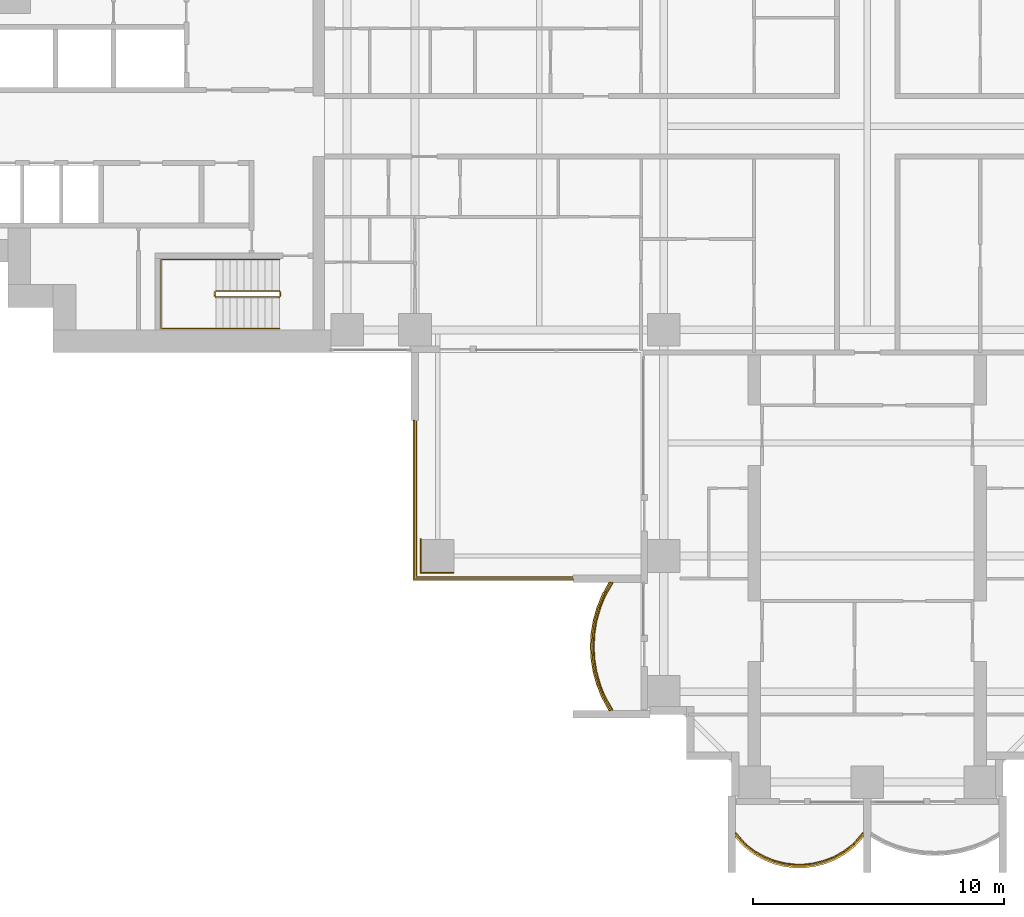
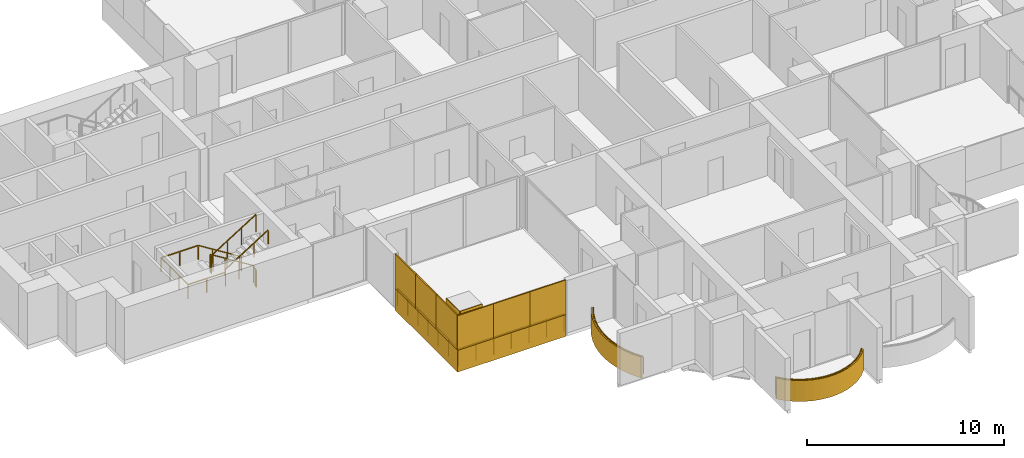
# One storey, part 18 of 21: 11 coverings, 5 railings.
"""IFC4 building model written with IfcOpenShell, lengths in metres."""

from ifc_helpers import new_model, si_unit, direction, frame, origin, origin_2d, place, context, subcontext, project, spatial, polyline, rectangle, outline, extrude, material, layer, layer_set, type_object, element, save


model = new_model("IFC4")

# Units and contexts
model_context = context("Model", 3, precision=1e-05, world=origin(), true_north=direction((0.0, 1.0)))
body_context = subcontext(model_context, "Body", "Model", "MODEL_VIEW")
ifc_project = project(units=[si_unit("LENGTHUNIT", "METRE"), si_unit("AREAUNIT", "SQUARE_METRE"), si_unit("VOLUMEUNIT", "CUBIC_METRE"), si_unit("PLANEANGLEUNIT", "RADIAN"), si_unit("MASSUNIT", "GRAM", prefix="KILO")], contexts=[model_context])

# Site, building, storey
site_placement = place(None, origin())
site = spatial("IfcSite", under=ifc_project, at=site_placement, CompositionType="ELEMENT")
building_placement = place(site_placement, origin())
building = spatial("IfcBuilding", under=site, at=building_placement, Name="Perihelion Cross Residences", CompositionType="ELEMENT")
storey_placement = place(building_placement, frame((0.0, 0.0, 64.5)))
storey = spatial("IfcBuildingStorey", under=building, at=storey_placement, Name="L13", CompositionType="ELEMENT", Elevation=64.5)

# Coverings
ifc_material_1 = material(Name="Bronze anodised aluminium", Category="aluminium")
ifc_layer_1 = layer(ifc_material_1, 0.070068359375)
ifc_layer_set_1 = layer_set([ifc_layer_1], Name="Balcony fascia 1300")
covering_type_1 = type_object("IfcCoveringType", Name="Balcony fascia 1300", PredefinedType="CLADDING", material=ifc_layer_set_1)
covering_1_placement = place(storey_placement, frame((0.0, 0.0, -0.199951171875)))
element("IfcCovering", 1, at=covering_1_placement, inside=storey, type_object=covering_type_1, Name="Fascia BF1 L13 south side west bay 2", PredefinedType="CLADDING", context=body_context, shape_type="SweptSolid", body=[
    extrude(outline(polyline([(-10.54833984375, -18.629638671875), (-10.7607421875, -19.147216796875), (-10.906494140625, -19.664794921875), (-10.991943359375, -20.182373046875), (-11.02001953125, -20.699951171875), (-10.991943359375, -21.217529296875), (-10.906494140625, -21.735107421875), (-10.7607421875, -22.2529296875), (-10.54833984375, -22.7705078125), (-10.2802734375, -23.25), (-10.199951171875, -23.25), (-10.4853515625, -22.739990234375), (-10.694580078125, -22.22998046875), (-10.838134765625, -21.719970703125), (-10.92236328125, -21.2099609375), (-10.949951171875, -20.699951171875), (-10.92236328125, -20.18994140625), (-10.838134765625, -19.679931640625), (-10.694580078125, -19.169921875), (-10.4853515625, -18.659912109375), (-10.199951171875, -18.14990234375), (-10.2802734375, -18.14990234375), (-10.54833984375, -18.629638671875)])), origin(), (0.0, 0.0, 1.0), 1.300048828125),
])
covering_2_placement = place(storey_placement, frame((0.0, 0.0, -0.199951171875)))
element("IfcCovering", 2, at=covering_2_placement, inside=storey, type_object=covering_type_1, Name="Fascia BF1 L13 south tip south bay 1", PredefinedType="CLADDING", context=body_context, shape_type="SweptSolid", body=[
    extrude(outline(polyline([(-4.90478515625, -28.674072265625), (-4.50390625, -28.982666015625), (-4.10302734375, -29.20654296875), (-3.7021484375, -29.364013671875), (-3.30126953125, -29.464599609375), (-2.900390625, -29.513916015625), (-2.49951171875, -29.513916015625), (-2.0986328125, -29.464599609375), (-1.69775390625, -29.364013671875), (-1.296875, -29.20654296875), (-0.89599609375, -28.982666015625), (-0.4951171875, -28.674072265625), (-0.14990234375, -28.302734375), (-0.14990234375, -28.199951171875), (-0.542236328125, -28.622314453125), (-0.9345703125, -28.924072265625), (-1.326904296875, -29.143310546875), (-1.71923828125, -29.29736328125), (-2.111572265625, -29.39599609375), (-2.50390625, -29.444091796875), (-2.896240234375, -29.444091796875), (-3.28857421875, -29.39599609375), (-3.6806640625, -29.29736328125), (-4.072998046875, -29.143310546875), (-4.46533203125, -28.924072265625), (-4.857666015625, -28.622314453125), (-5.25, -28.199951171875), (-5.25, -28.302734375), (-4.90478515625, -28.674072265625)])), origin(), (0.0, 0.0, 1.0), 1.300048828125),
])

# Railings
ifc_material_2 = material(Name="Bronze anodised aluminium", Category="aluminium")
railing_type_1 = type_object("IfcRailingType", Name="Balcony guard 1100", PredefinedType="GUARDRAIL", material=ifc_material_2)
railing_1_placement = place(storey_placement, frame((-10.139892578125, -18.175048828125, 0.0)))
element("IfcRailing", 3, at=railing_1_placement, inside=storey, type_object=railing_type_1, Name="Guard GU1 L13 south side west bay 2 balcony", PredefinedType="GUARDRAIL", context=body_context, shape_type="SweptSolid", body=[
    extrude(rectangle(XDim=0.048095703125, YDim=0.048095703125, at=origin_2d()), frame((0.0, 0.0, 1.076171875), z_axis=(-0.507266632806, -0.861789164031, 0.0), x_axis=(0.861789164031, -0.507266632806, 0.0)), (0.0, 0.0, 1.0), 0.562744140625),
    extrude(rectangle(XDim=0.048095703125, YDim=0.048095703125, at=origin_2d()), frame((-0.285400390625, -0.48486328125, 1.076171875), z_axis=(-0.379546636342, -0.925172605972, 0.0), x_axis=(0.925172605972, -0.379546636342, 0.0)), (0.0, 0.0, 1.0), 0.55126953125),
    extrude(rectangle(XDim=0.048095703125, YDim=0.048095703125, at=origin_2d()), frame((-0.49462890625, -0.994873046875, 1.076171875), z_axis=(-0.271372618732, -0.962474364231, 0.0), x_axis=(0.962474364231, -0.271372618732, 0.0)), (0.0, 0.0, 1.0), 0.52978515625),
    extrude(rectangle(XDim=0.048095703125, YDim=0.048095703125, at=origin_2d()), frame((-0.638427734375, -1.5048828125, 1.076171875), z_axis=(-0.162483799314, -0.986711211531, 0.0), x_axis=(0.986711211531, -0.162483799314, 0.0)), (0.0, 0.0, 1.0), 0.516845703125),
    extrude(rectangle(XDim=0.048095703125, YDim=0.048095703125, at=origin_2d()), frame((-0.722412109375, -2.014892578125, 1.076171875), z_axis=(-0.05401390175, -0.998540183677, 0.0), x_axis=(0.998540183677, -0.05401390175, 0.0)), (0.0, 0.0, 1.0), 0.5107421875),
    extrude(rectangle(XDim=0.048095703125, YDim=0.048095703125, at=origin_2d()), frame((-0.75, -2.52490234375, 1.076171875), z_axis=(0.05401390175, -0.998540183677, 0.0), x_axis=(0.998540183677, 0.05401390175, 0.0)), (0.0, 0.0, 1.0), 0.5107421875),
    extrude(rectangle(XDim=0.048095703125, YDim=0.048095703125, at=origin_2d()), frame((-0.722412109375, -3.034912109375, 1.076171875), z_axis=(0.162483799314, -0.986711211531, 0.0), x_axis=(0.986711211531, 0.162483799314, 0.0)), (0.0, 0.0, 1.0), 0.516845703125),
    extrude(rectangle(XDim=0.048095703125, YDim=0.048095703125, at=origin_2d()), frame((-0.638427734375, -3.544921875, 1.076171875), z_axis=(0.271372618732, -0.962474364231, 0.0), x_axis=(0.962474364231, 0.271372618732, 0.0)), (0.0, 0.0, 1.0), 0.52978515625),
    extrude(rectangle(XDim=0.048095703125, YDim=0.048095703125, at=origin_2d()), frame((-0.49462890625, -4.054931640625, 1.076171875), z_axis=(0.379546636342, -0.925172605972, 0.0), x_axis=(0.925172605972, 0.379546636342, 0.0)), (0.0, 0.0, 1.0), 0.55126953125),
    extrude(rectangle(XDim=0.048095703125, YDim=0.048095703125, at=origin_2d()), frame((-0.285400390625, -4.56494140625, 1.076171875), z_axis=(0.507076995033, -0.861900760591, 0.0), x_axis=(0.861900760591, 0.507076995033, 0.0)), (0.0, 0.0, 1.0), 0.562744140625),
    extrude(rectangle(XDim=0.0419921875, YDim=0.0419921875, at=origin_2d()), origin(), (0.0, 0.0, 1.0), 1.052001953125),
    extrude(rectangle(XDim=0.0419921875, YDim=0.0419921875, at=origin_2d()), frame((-0.285400390625, -0.48486328125, 0.0)), (0.0, 0.0, 1.0), 1.052001953125),
    extrude(rectangle(XDim=0.0419921875, YDim=0.0419921875, at=origin_2d()), frame((-0.49462890625, -0.994873046875, 0.0)), (0.0, 0.0, 1.0), 1.052001953125),
    extrude(rectangle(XDim=0.0419921875, YDim=0.0419921875, at=origin_2d()), frame((-0.638427734375, -1.5048828125, 0.0)), (0.0, 0.0, 1.0), 1.052001953125),
    extrude(rectangle(XDim=0.0419921875, YDim=0.0419921875, at=origin_2d()), frame((-0.722412109375, -2.014892578125, 0.0)), (0.0, 0.0, 1.0), 1.052001953125),
    extrude(rectangle(XDim=0.0419921875, YDim=0.0419921875, at=origin_2d()), frame((-0.75, -2.52490234375, 0.0)), (0.0, 0.0, 1.0), 1.052001953125),
    extrude(rectangle(XDim=0.0419921875, YDim=0.0419921875, at=origin_2d()), frame((-0.722412109375, -3.034912109375, 0.0)), (0.0, 0.0, 1.0), 1.052001953125),
    extrude(rectangle(XDim=0.0419921875, YDim=0.0419921875, at=origin_2d()), frame((-0.638427734375, -3.544921875, 0.0)), (0.0, 0.0, 1.0), 1.052001953125),
    extrude(rectangle(XDim=0.0419921875, YDim=0.0419921875, at=origin_2d()), frame((-0.49462890625, -4.054931640625, 0.0)), (0.0, 0.0, 1.0), 1.052001953125),
    extrude(rectangle(XDim=0.0419921875, YDim=0.0419921875, at=origin_2d()), frame((-0.285400390625, -4.56494140625, 0.0)), (0.0, 0.0, 1.0), 1.052001953125),
    extrude(rectangle(XDim=0.0419921875, YDim=0.0419921875, at=origin_2d()), frame((0.0, -5.050048828125, 0.0)), (0.0, 0.0, 1.0), 1.052001953125),
])
railing_2_placement = place(storey_placement, frame((-5.22509765625, -28.139892578125, 0.0)))
element("IfcRailing", 4, at=railing_2_placement, inside=storey, type_object=railing_type_1, Name="Guard GU1 L13 south tip south bay 1 balcony", PredefinedType="GUARDRAIL", context=body_context, shape_type="SweptSolid", body=[
    extrude(rectangle(XDim=0.048095703125, YDim=0.048095703125, at=origin_2d()), frame((0.0, 0.0, 1.076171875), z_axis=(0.656340655493, -0.754464673757, 0.0), x_axis=(0.754464673757, 0.656340655493, 0.0)), (0.0, 0.0, 1.0), 0.559814453125),
    extrude(rectangle(XDim=0.048095703125, YDim=0.048095703125, at=origin_2d()), frame((0.367431640625, -0.42236328125, 1.076171875), z_axis=(0.792660660899, -0.60966308455, 0.0), x_axis=(0.60966308455, 0.792660660899, 0.0)), (0.0, 0.0, 1.0), 0.494873046875),
    extrude(rectangle(XDim=0.048095703125, YDim=0.048095703125, at=origin_2d()), frame((0.759765625, -0.72412109375, 1.076171875), z_axis=(0.872950285698, -0.487809182674, 0.0), x_axis=(0.487809182674, 0.872950285698, 0.0)), (0.0, 0.0, 1.0), 0.449462890625),
    extrude(rectangle(XDim=0.048095703125, YDim=0.048095703125, at=origin_2d()), frame((1.152099609375, -0.943359375, 1.076171875), z_axis=(0.930814842219, -0.365491079925, 0.0), x_axis=(0.365491079925, 0.930814842219, 0.0)), (0.0, 0.0, 1.0), 0.42138671875),
    extrude(rectangle(XDim=0.048095703125, YDim=0.048095703125, at=origin_2d()), frame((1.54443359375, -1.097412109375, 1.076171875), z_axis=(0.969786252666, -0.243956193074, 0.0), x_axis=(0.243956193074, 0.969786252666, 0.0)), (0.0, 0.0, 1.0), 0.404296875),
    extrude(rectangle(XDim=0.048095703125, YDim=0.048095703125, at=origin_2d()), frame((1.9365234375, -1.196044921875, 1.076171875), z_axis=(0.992569651699, -0.121677797999, 0.0), x_axis=(0.121677797999, 0.992569651699, 0.0)), (0.0, 0.0, 1.0), 0.395263671875),
    extrude(rectangle(XDim=0.048095703125, YDim=0.048095703125, at=origin_2d()), frame((2.328857421875, -1.244140625, 1.076171875), z_axis=(1.0, 0.0, 0.0), x_axis=(0.0, 1.0, 0.0)), (0.0, 0.0, 1.0), 0.392333984375),
    extrude(rectangle(XDim=0.048095703125, YDim=0.048095703125, at=origin_2d()), frame((2.72119140625, -1.244140625, 1.076171875), z_axis=(0.992569651699, 0.121677797999, 0.0), x_axis=(-0.121677797999, 0.992569651699, 0.0)), (0.0, 0.0, 1.0), 0.395263671875),
    extrude(rectangle(XDim=0.048095703125, YDim=0.048095703125, at=origin_2d()), frame((3.113525390625, -1.196044921875, 1.076171875), z_axis=(0.969822159145, 0.243813411509, 0.0), x_axis=(-0.243813411509, 0.969822159145, 0.0)), (0.0, 0.0, 1.0), 0.404541015625),
    extrude(rectangle(XDim=0.048095703125, YDim=0.048095703125, at=origin_2d()), frame((3.505859375, -1.097412109375, 1.076171875), z_axis=(0.930814842219, 0.365491079925, 0.0), x_axis=(-0.365491079925, 0.930814842219, 0.0)), (0.0, 0.0, 1.0), 0.42138671875),
    extrude(rectangle(XDim=0.048095703125, YDim=0.048095703125, at=origin_2d()), frame((3.898193359375, -0.943359375, 1.076171875), z_axis=(0.872950285698, 0.487809182674, 0.0), x_axis=(-0.487809182674, 0.872950285698, 0.0)), (0.0, 0.0, 1.0), 0.449462890625),
    extrude(rectangle(XDim=0.048095703125, YDim=0.048095703125, at=origin_2d()), frame((4.29052734375, -0.72412109375, 1.076171875), z_axis=(0.792660660899, 0.60966308455, 0.0), x_axis=(-0.60966308455, 0.792660660899, 0.0)), (0.0, 0.0, 1.0), 0.494873046875),
    extrude(rectangle(XDim=0.048095703125, YDim=0.048095703125, at=origin_2d()), frame((4.682861328125, -0.42236328125, 1.076171875), z_axis=(0.656092309534, 0.754680648599, 0.0), x_axis=(-0.754680648599, 0.656092309534, 0.0)), (0.0, 0.0, 1.0), 0.5595703125),
    extrude(rectangle(XDim=0.0419921875, YDim=0.0419921875, at=origin_2d()), origin(), (0.0, 0.0, 1.0), 1.052001953125),
    extrude(rectangle(XDim=0.0419921875, YDim=0.0419921875, at=origin_2d()), frame((0.367431640625, -0.42236328125, 0.0)), (0.0, 0.0, 1.0), 1.052001953125),
    extrude(rectangle(XDim=0.0419921875, YDim=0.0419921875, at=origin_2d()), frame((0.759765625, -0.72412109375, 0.0)), (0.0, 0.0, 1.0), 1.052001953125),
    extrude(rectangle(XDim=0.0419921875, YDim=0.0419921875, at=origin_2d()), frame((1.152099609375, -0.943359375, 0.0)), (0.0, 0.0, 1.0), 1.052001953125),
    extrude(rectangle(XDim=0.0419921875, YDim=0.0419921875, at=origin_2d()), frame((1.54443359375, -1.097412109375, 0.0)), (0.0, 0.0, 1.0), 1.052001953125),
    extrude(rectangle(XDim=0.0419921875, YDim=0.0419921875, at=origin_2d()), frame((1.9365234375, -1.196044921875, 0.0)), (0.0, 0.0, 1.0), 1.052001953125),
    extrude(rectangle(XDim=0.0419921875, YDim=0.0419921875, at=origin_2d()), frame((2.328857421875, -1.244140625, 0.0)), (0.0, 0.0, 1.0), 1.052001953125),
    extrude(rectangle(XDim=0.0419921875, YDim=0.0419921875, at=origin_2d()), frame((2.72119140625, -1.244140625, 0.0)), (0.0, 0.0, 1.0), 1.052001953125),
    extrude(rectangle(XDim=0.0419921875, YDim=0.0419921875, at=origin_2d()), frame((3.113525390625, -1.196044921875, 0.0)), (0.0, 0.0, 1.0), 1.052001953125),
    extrude(rectangle(XDim=0.0419921875, YDim=0.0419921875, at=origin_2d()), frame((3.505859375, -1.097412109375, 0.0)), (0.0, 0.0, 1.0), 1.052001953125),
    extrude(rectangle(XDim=0.0419921875, YDim=0.0419921875, at=origin_2d()), frame((3.898193359375, -0.943359375, 0.0)), (0.0, 0.0, 1.0), 1.052001953125),
    extrude(rectangle(XDim=0.0419921875, YDim=0.0419921875, at=origin_2d()), frame((4.29052734375, -0.72412109375, 0.0)), (0.0, 0.0, 1.0), 1.052001953125),
    extrude(rectangle(XDim=0.0419921875, YDim=0.0419921875, at=origin_2d()), frame((4.682861328125, -0.42236328125, 0.0)), (0.0, 0.0, 1.0), 1.052001953125),
    extrude(rectangle(XDim=0.0419921875, YDim=0.0419921875, at=origin_2d()), frame((5.050048828125, 0.0, 0.0)), (0.0, 0.0, 1.0), 1.052001953125),
])
railing_3_placement = place(storey_placement, frame((-11.739990234375, -17.93994140625, 0.0)))
element("IfcRailing", 5, at=railing_3_placement, inside=storey, type_object=railing_type_1, Name="Guard GU1 L13 pocket south-west 1", PredefinedType="GUARDRAIL", context=body_context, shape_type="SweptSolid", body=[
    extrude(rectangle(XDim=0.048095703125, YDim=0.048095703125, at=origin_2d()), frame((0.0, 0.0, 1.076171875), z_axis=(-1.0, 0.0, 0.0), x_axis=(0.0, -1.0, 0.0)), (0.0, 0.0, 1.0), 6.199951171875),
    extrude(rectangle(XDim=0.048095703125, YDim=0.048095703125, at=origin_2d()), frame((-6.199951171875, 0.0, 1.076171875), z_axis=(0.0, 1.0, 0.0), x_axis=(-1.0, 0.0, 0.0)), (0.0, 0.0, 1.0), 6.199951171875),
    extrude(rectangle(XDim=0.0419921875, YDim=0.0419921875, at=origin_2d()), origin(), (0.0, 0.0, 1.0), 1.052001953125),
    extrude(rectangle(XDim=0.0419921875, YDim=0.0419921875, at=origin_2d()), frame((-1.033203125, 0.0, 0.0)), (0.0, 0.0, 1.0), 1.052001953125),
    extrude(rectangle(XDim=0.0419921875, YDim=0.0419921875, at=origin_2d()), frame((-2.066650390625, 0.0, 0.0)), (0.0, 0.0, 1.0), 1.052001953125),
    extrude(rectangle(XDim=0.0419921875, YDim=0.0419921875, at=origin_2d()), frame((-3.10009765625, 0.0, 0.0)), (0.0, 0.0, 1.0), 1.052001953125),
    extrude(rectangle(XDim=0.0419921875, YDim=0.0419921875, at=origin_2d()), frame((-4.13330078125, 0.0, 0.0)), (0.0, 0.0, 1.0), 1.052001953125),
    extrude(rectangle(XDim=0.0419921875, YDim=0.0419921875, at=origin_2d()), frame((-5.16650390625, 0.0, 0.0)), (0.0, 0.0, 1.0), 1.052001953125),
    extrude(rectangle(XDim=0.0419921875, YDim=0.0419921875, at=origin_2d()), frame((-6.199951171875, 0.0, 0.0)), (0.0, 0.0, 1.0), 1.052001953125),
    extrude(rectangle(XDim=0.0419921875, YDim=0.0419921875, at=origin_2d()), frame((-6.199951171875, 1.033203125, 0.0)), (0.0, 0.0, 1.0), 1.052001953125),
    extrude(rectangle(XDim=0.0419921875, YDim=0.0419921875, at=origin_2d()), frame((-6.199951171875, 2.066650390625, 0.0)), (0.0, 0.0, 1.0), 1.052001953125),
    extrude(rectangle(XDim=0.0419921875, YDim=0.0419921875, at=origin_2d()), frame((-6.199951171875, 3.10009765625, 0.0)), (0.0, 0.0, 1.0), 1.052001953125),
    extrude(rectangle(XDim=0.0419921875, YDim=0.0419921875, at=origin_2d()), frame((-6.199951171875, 4.13330078125, 0.0)), (0.0, 0.0, 1.0), 1.052001953125),
    extrude(rectangle(XDim=0.0419921875, YDim=0.0419921875, at=origin_2d()), frame((-6.199951171875, 5.16650390625, 0.0)), (0.0, 0.0, 1.0), 1.052001953125),
    extrude(rectangle(XDim=0.0419921875, YDim=0.0419921875, at=origin_2d()), frame((-6.199951171875, 6.199951171875, 0.0)), (0.0, 0.0, 1.0), 1.052001953125),
])

# Coverings
ifc_material_3 = material(Name="Bronze anodised aluminium", Category="aluminium")
ifc_layer_2 = layer(ifc_material_3, 0.0400390625)
ifc_layer_set_2 = layer_set([ifc_layer_2], Name="Bronze column casing 40")
covering_type_2 = type_object("IfcCoveringType", Name="Bronze column casing 40", PredefinedType="CLADDING", material=ifc_layer_set_2)
covering_3_placement = place(storey_placement, frame((-17.77001953125, -17.10009765625, -0.25), z_axis=(0.0, 0.0, 1.0), x_axis=(1.0, 0.0, 0.0)))
element("IfcCovering", 6, at=covering_3_placement, inside=storey, type_object=covering_type_2, Name="Cladding CC1 L13 casing east-west no. 1", PredefinedType="CLADDING", context=body_context, shape_type="SweptSolid", body=[
    extrude(rectangle(XDim=0.0400390625, YDim=1.3798828125, at=origin_2d()), origin(), (0.0, 0.0, 1.0), 3.5),
])
covering_4_placement = place(storey_placement, frame((-17.10009765625, -17.77001953125, -0.25), z_axis=(0.0, 0.0, 1.0), x_axis=(1.0, 0.0, 0.0)))
element("IfcCovering", 7, at=covering_4_placement, inside=storey, type_object=covering_type_2, Name="Cladding CC1 L13 casing north-south no. 1", PredefinedType="CLADDING", context=body_context, shape_type="SweptSolid", body=[
    extrude(rectangle(XDim=1.300048828125, YDim=0.0400390625, at=origin_2d()), origin(), (0.0, 0.0, 1.0), 3.5),
])
ifc_material_4 = material(Name="Bronze anodised aluminium", Category="aluminium")
ifc_layer_3 = layer(ifc_material_4, 0.070068359375)
ifc_layer_set_3 = layer_set([ifc_layer_3], Name="Pocket fascia 1350")
covering_type_3 = type_object("IfcCoveringType", Name="Pocket fascia 1350", PredefinedType="CLADDING", material=ifc_layer_set_3)
covering_5_placement = place(storey_placement, frame((0.0, 0.0, -0.25)))
element("IfcCovering", 8, at=covering_5_placement, inside=storey, type_object=covering_type_3, Name="Fascia BF2 L13 pocket south-west 1", PredefinedType="CLADDING", context=body_context, shape_type="SweptSolid", body=[
    extrude(outline(polyline([(-18.070068359375, -11.699951171875), (-18.070068359375, -18.070068359375), (-11.699951171875, -18.070068359375), (-11.699951171875, -18.0), (-18.0, -18.0), (-18.0, -11.699951171875), (-18.070068359375, -11.699951171875)])), origin(), (0.0, 0.0, 1.0), 1.35009765625),
])
ifc_material_5 = material(Name="Bronze perforated aluminium", Category="aluminium")
ifc_layer_4 = layer(ifc_material_5, 0.070068359375)
ifc_layer_set_4 = layer_set([ifc_layer_4], Name="Pocket solar screen, bronze perforated")
covering_type_4 = type_object("IfcCoveringType", Name="Pocket solar screen, bronze perforated", PredefinedType="CLADDING", material=ifc_layer_set_4)
covering_6_placement = place(storey_placement, frame((0.0, 0.0, 1.10009765625)))
element("IfcCovering", 9, at=covering_6_placement, inside=storey, type_object=covering_type_4, Name="Solar screen PS1 L13 pocket south-west no. 1", PredefinedType="CLADDING", context=body_context, shape_type="SweptSolid", body=[
    extrude(outline(polyline([(-18.0, -18.0), (-18.0, -15.89990234375), (-18.070068359375, -15.89990234375), (-18.070068359375, -18.0), (-18.0, -18.0)])), origin(), (0.0, 0.0, 1.0), 2.14990234375),
])
covering_7_placement = place(storey_placement, frame((0.0, 0.0, 1.10009765625)))
element("IfcCovering", 10, at=covering_7_placement, inside=storey, type_object=covering_type_4, Name="Solar screen PS1 L13 pocket south-west no. 2", PredefinedType="CLADDING", context=body_context, shape_type="SweptSolid", body=[
    extrude(outline(polyline([(-18.0, -15.89990234375), (-18.0, -13.800048828125), (-18.070068359375, -13.800048828125), (-18.070068359375, -15.89990234375), (-18.0, -15.89990234375)])), origin(), (0.0, 0.0, 1.0), 2.14990234375),
])
covering_8_placement = place(storey_placement, frame((0.0, 0.0, 1.10009765625)))
element("IfcCovering", 11, at=covering_8_placement, inside=storey, type_object=covering_type_4, Name="Solar screen PS1 L13 pocket south-west no. 3", PredefinedType="CLADDING", context=body_context, shape_type="SweptSolid", body=[
    extrude(outline(polyline([(-18.0, -13.800048828125), (-18.0, -11.699951171875), (-18.070068359375, -11.699951171875), (-18.070068359375, -13.800048828125), (-18.0, -13.800048828125)])), origin(), (0.0, 0.0, 1.0), 2.14990234375),
])
covering_9_placement = place(storey_placement, frame((0.0, 0.0, 1.10009765625)))
element("IfcCovering", 12, at=covering_9_placement, inside=storey, type_object=covering_type_4, Name="Solar screen PS1 L13 pocket south-west no. 4", PredefinedType="CLADDING", context=body_context, shape_type="SweptSolid", body=[
    extrude(outline(polyline([(-15.94677734375, -18.070068359375), (-15.94677734375, -18.0), (-18.070068359375, -18.0), (-18.070068359375, -18.070068359375), (-15.94677734375, -18.070068359375)])), origin(), (0.0, 0.0, 1.0), 2.14990234375),
])
covering_10_placement = place(storey_placement, frame((0.0, 0.0, 1.10009765625)))
element("IfcCovering", 13, at=covering_10_placement, inside=storey, type_object=covering_type_4, Name="Solar screen PS1 L13 pocket south-west no. 5", PredefinedType="CLADDING", context=body_context, shape_type="SweptSolid", body=[
    extrude(outline(polyline([(-13.8232421875, -18.070068359375), (-13.8232421875, -18.0), (-15.94677734375, -18.0), (-15.94677734375, -18.070068359375), (-13.8232421875, -18.070068359375)])), origin(), (0.0, 0.0, 1.0), 2.14990234375),
])
covering_11_placement = place(storey_placement, frame((0.0, 0.0, 1.10009765625)))
element("IfcCovering", 14, at=covering_11_placement, inside=storey, type_object=covering_type_4, Name="Solar screen PS1 L13 pocket south-west no. 6", PredefinedType="CLADDING", context=body_context, shape_type="SweptSolid", body=[
    extrude(outline(polyline([(-11.699951171875, -18.070068359375), (-11.699951171875, -18.0), (-13.8232421875, -18.0), (-13.8232421875, -18.070068359375), (-11.699951171875, -18.070068359375)])), origin(), (0.0, 0.0, 1.0), 2.14990234375),
])

# Railings
ifc_material_6 = material(Name="Stainless steel", Category="steel")
railing_type_2 = type_object("IfcRailingType", Name="Stair guard 1100", PredefinedType="GUARDRAIL", material=ifc_material_6)
railing_4_placement = place(storey_placement, frame((-23.35009765625, -6.75, 0.0)))
element("IfcRailing", 15, at=railing_4_placement, inside=storey, type_object=railing_type_2, Name="L13 ST-W2 stair guard 1", PredefinedType="GUARDRAIL", context=body_context, shape_type="SweptSolid", body=[
    extrude(rectangle(XDim=0.048095703125, YDim=0.048095703125, at=origin_2d()), frame((0.0, 0.0, 1.076171875), z_axis=(0.0, 1.0, 0.0), x_axis=(-1.0, 0.0, 0.0)), (0.0, 0.0, 1.0), 0.14990234375),
    extrude(rectangle(XDim=0.048095703125, YDim=0.048095703125, at=origin_2d()), frame((0.0, 0.14990234375, 1.076171875), z_axis=(-0.263862480399, 0.265155923931, 0.927399011991), x_axis=(-0.708833529934, -0.705375805398, 0.0)), (0.0, 0.0, 1.0), 0.188720703125),
    extrude(rectangle(XDim=0.048095703125, YDim=0.048095703125, at=origin_2d()), frame((-0.0498046875, 0.199951171875, 1.2509765625), z_axis=(-0.848007534815, 0.0, 0.529984170421), x_axis=(0.0, -1.0, 0.0)), (0.0, 0.0, 1.0), 2.9716796875),
    extrude(rectangle(XDim=0.048095703125, YDim=0.048095703125, at=origin_2d()), frame((-2.56982421875, 0.199951171875, 2.826171875), z_axis=(-0.707106781187, -0.707106781187, 0.0), x_axis=(0.707106781187, -0.707106781187, 0.0)), (0.0, 0.0, 1.0), 0.07080078125),
    extrude(rectangle(XDim=0.048095703125, YDim=0.048095703125, at=origin_2d()), frame((-2.619873046875, 0.14990234375, 2.826171875), z_axis=(0.0, -1.0, 0.0), x_axis=(1.0, 0.0, 0.0)), (0.0, 0.0, 1.0), 0.14990234375),
    extrude(rectangle(XDim=0.048095703125, YDim=0.048095703125, at=origin_2d()), frame((-2.619873046875, 0.0, 2.826171875), z_axis=(0.265065253269, -0.265065253269, 0.927081885822), x_axis=(0.707106781187, 0.707106781187, 0.0)), (0.0, 0.0, 1.0), 0.188720703125),
    extrude(rectangle(XDim=0.048095703125, YDim=0.048095703125, at=origin_2d()), frame((-2.56982421875, -0.050048828125, 3.0009765625), z_axis=(0.848007534815, 0.0, 0.529984170421), x_axis=(0.0, 1.0, 0.0)), (0.0, 0.0, 1.0), 2.9716796875),
    extrude(rectangle(XDim=0.0419921875, YDim=0.0419921875, at=origin_2d()), origin(), (0.0, 0.0, 1.0), 1.052001953125),
    extrude(rectangle(XDim=0.0419921875, YDim=0.0419921875, at=origin_2d()), frame((0.0, 0.14990234375, 0.0)), (0.0, 0.0, 1.0), 1.052001953125),
    extrude(rectangle(XDim=0.0419921875, YDim=0.0419921875, at=origin_2d()), frame((-0.0498046875, 0.199951171875, 0.175048828125)), (0.0, 0.0, 1.0), 1.052001953125),
    extrude(rectangle(XDim=0.0419921875, YDim=0.0419921875, at=origin_2d()), frame((-0.889892578125, 0.199951171875, 0.699951171875)), (0.0, 0.0, 1.0), 1.052001953125),
    extrude(rectangle(XDim=0.0419921875, YDim=0.0419921875, at=origin_2d()), frame((-1.729736328125, 0.199951171875, 1.22509765625)), (0.0, 0.0, 1.0), 1.052001953125),
    extrude(rectangle(XDim=0.0419921875, YDim=0.0419921875, at=origin_2d()), frame((-2.56982421875, 0.199951171875, 1.75)), (0.0, 0.0, 1.0), 1.052001953125),
    extrude(rectangle(XDim=0.0419921875, YDim=0.0419921875, at=origin_2d()), frame((-2.619873046875, 0.14990234375, 1.75)), (0.0, 0.0, 1.0), 1.052001953125),
    extrude(rectangle(XDim=0.0419921875, YDim=0.0419921875, at=origin_2d()), frame((-2.619873046875, 0.0, 1.75)), (0.0, 0.0, 1.0), 1.052001953125),
    extrude(rectangle(XDim=0.0419921875, YDim=0.0419921875, at=origin_2d()), frame((-2.56982421875, -0.050048828125, 1.925048828125)), (0.0, 0.0, 1.0), 1.052001953125),
    extrude(rectangle(XDim=0.0419921875, YDim=0.0419921875, at=origin_2d()), frame((-1.729736328125, -0.050048828125, 2.449951171875)), (0.0, 0.0, 1.0), 1.052001953125),
    extrude(rectangle(XDim=0.0419921875, YDim=0.0419921875, at=origin_2d()), frame((-0.889892578125, -0.050048828125, 2.97509765625)), (0.0, 0.0, 1.0), 1.052001953125),
    extrude(rectangle(XDim=0.0419921875, YDim=0.0419921875, at=origin_2d()), frame((-0.0498046875, -0.050048828125, 3.5)), (0.0, 0.0, 1.0), 1.052001953125),
])
ifc_material_7 = material(Name="Stainless steel", Category="steel")
railing_type_3 = type_object("IfcRailingType", Name="Stair handrail 900", PredefinedType="HANDRAIL", material=ifc_material_7)
railing_5_placement = place(storey_placement, frame((-23.39990234375, -5.300048828125, 0.175048828125)))
element("IfcRailing", 16, at=railing_5_placement, inside=storey, type_object=railing_type_3, Name="L13 ST-W2 stair handrail 1", PredefinedType="HANDRAIL", context=body_context, shape_type="SweptSolid", body=[
    extrude(rectangle(XDim=0.048095703125, YDim=0.048095703125, at=origin_2d()), frame((0.0, 0.0, 0.8759765625), z_axis=(-0.848007534815, 0.0, 0.529984170421), x_axis=(0.0, -1.0, 0.0)), (0.0, 0.0, 1.0), 2.9716796875),
    extrude(rectangle(XDim=0.048095703125, YDim=0.048095703125, at=origin_2d()), frame((-2.52001953125, 0.0, 2.45068359375), z_axis=(-1.0, 0.0, 0.0), x_axis=(0.0, -1.0, 0.0)), (0.0, 0.0, 1.0), 2.18017578125),
    extrude(rectangle(XDim=0.048095703125, YDim=0.048095703125, at=origin_2d()), frame((-4.7001953125, 0.0, 2.45068359375), z_axis=(0.0, -1.0, 0.0), x_axis=(1.0, 0.0, 0.0)), (0.0, 0.0, 1.0), 2.75),
    extrude(rectangle(XDim=0.048095703125, YDim=0.048095703125, at=origin_2d()), frame((-4.7001953125, -2.75, 2.45068359375), z_axis=(1.0, 0.0, 0.0), x_axis=(0.0, 1.0, 0.0)), (0.0, 0.0, 1.0), 2.18017578125),
    extrude(rectangle(XDim=0.048095703125, YDim=0.048095703125, at=origin_2d()), frame((-2.52001953125, -2.75, 2.45068359375), z_axis=(0.0, 0.0, 1.0), x_axis=(1.0, 0.0, 0.0)), (0.0, 0.0, 1.0), 0.175048828125),
    extrude(rectangle(XDim=0.048095703125, YDim=0.048095703125, at=origin_2d()), frame((-2.52001953125, -2.75, 2.6259765625), z_axis=(0.848007534815, 0.0, 0.529984170421), x_axis=(0.0, 1.0, 0.0)), (0.0, 0.0, 1.0), 2.9716796875),
    extrude(rectangle(XDim=0.0419921875, YDim=0.0419921875, at=origin_2d()), origin(), (0.0, 0.0, 1.0), 0.851806640625),
    extrude(rectangle(XDim=0.0419921875, YDim=0.0419921875, at=origin_2d()), frame((-0.840087890625, 0.0, 0.52490234375)), (0.0, 0.0, 1.0), 0.851806640625),
    extrude(rectangle(XDim=0.0419921875, YDim=0.0419921875, at=origin_2d()), frame((-1.679931640625, 0.0, 1.050048828125)), (0.0, 0.0, 1.0), 0.851806640625),
    extrude(rectangle(XDim=0.0419921875, YDim=0.0419921875, at=origin_2d()), frame((-2.52001953125, 0.0, 1.574951171875)), (0.0, 0.0, 1.0), 0.851806640625),
    extrude(rectangle(XDim=0.0419921875, YDim=0.0419921875, at=origin_2d()), frame((-3.610107421875, 0.0, 1.574951171875)), (0.0, 0.0, 1.0), 0.851806640625),
    extrude(rectangle(XDim=0.0419921875, YDim=0.0419921875, at=origin_2d()), frame((-4.7001953125, 0.0, 1.574951171875)), (0.0, 0.0, 1.0), 0.851806640625),
    extrude(rectangle(XDim=0.0419921875, YDim=0.0419921875, at=origin_2d()), frame((-4.7001953125, -0.916748046875, 1.574951171875)), (0.0, 0.0, 1.0), 0.851806640625),
    extrude(rectangle(XDim=0.0419921875, YDim=0.0419921875, at=origin_2d()), frame((-4.7001953125, -1.833251953125, 1.574951171875)), (0.0, 0.0, 1.0), 0.851806640625),
    extrude(rectangle(XDim=0.0419921875, YDim=0.0419921875, at=origin_2d()), frame((-4.7001953125, -2.75, 1.574951171875)), (0.0, 0.0, 1.0), 0.851806640625),
    extrude(rectangle(XDim=0.0419921875, YDim=0.0419921875, at=origin_2d()), frame((-3.610107421875, -2.75, 1.574951171875)), (0.0, 0.0, 1.0), 0.851806640625),
    extrude(rectangle(XDim=0.0419921875, YDim=0.0419921875, at=origin_2d()), frame((-2.52001953125, -2.75, 1.574951171875)), (0.0, 0.0, 1.0), 0.851806640625),
    extrude(rectangle(XDim=0.0419921875, YDim=0.0419921875, at=origin_2d()), frame((-2.52001953125, -2.75, 1.75)), (0.0, 0.0, 1.0), 0.851806640625),
    extrude(rectangle(XDim=0.0419921875, YDim=0.0419921875, at=origin_2d()), frame((-1.679931640625, -2.75, 2.27490234375)), (0.0, 0.0, 1.0), 0.851806640625),
    extrude(rectangle(XDim=0.0419921875, YDim=0.0419921875, at=origin_2d()), frame((-0.840087890625, -2.75, 2.800048828125)), (0.0, 0.0, 1.0), 0.851806640625),
    extrude(rectangle(XDim=0.0419921875, YDim=0.0419921875, at=origin_2d()), frame((0.0, -2.75, 3.324951171875)), (0.0, 0.0, 1.0), 0.851806640625),
])

save(model, "model.ifc")
